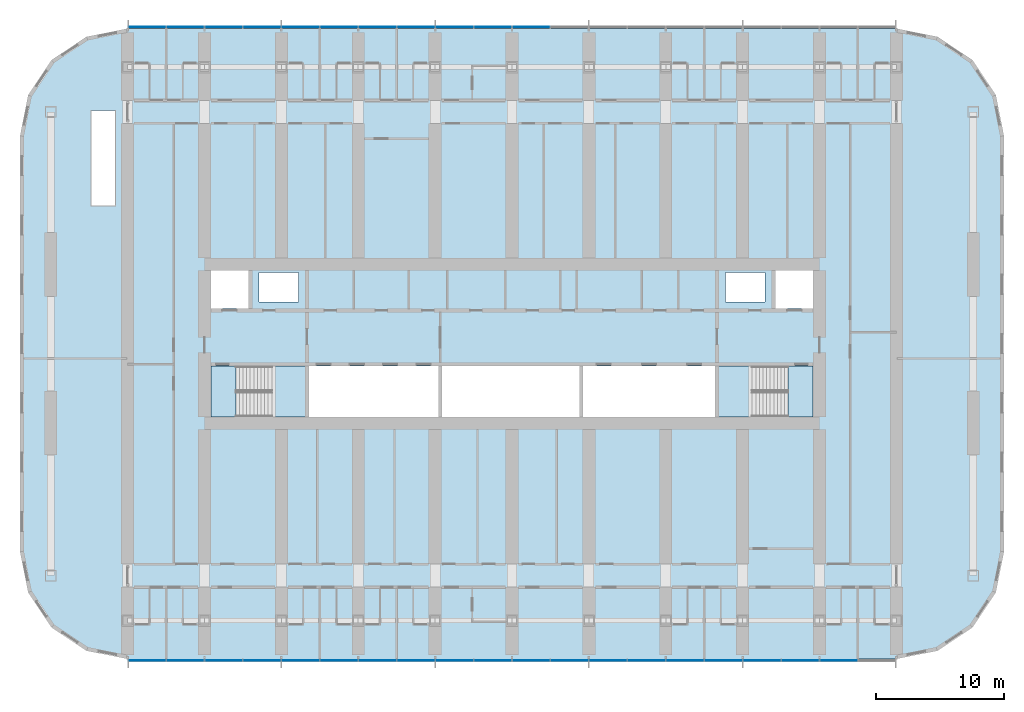
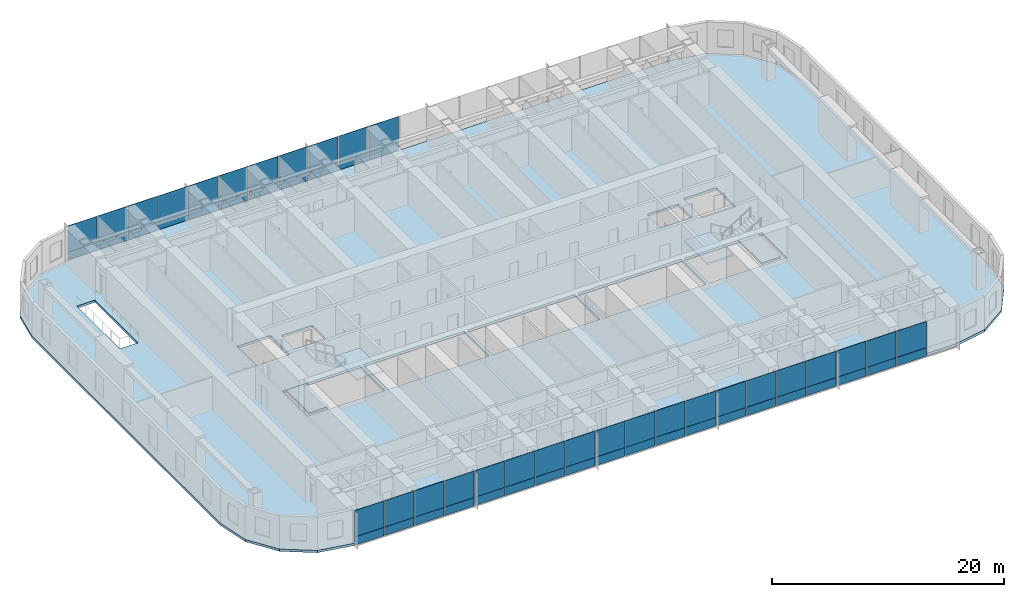
# One storey, part 8 of 23: 60 plates, 5 slabs, 4 elements without a shape of their own.
"""IFC4 building model written with IfcOpenShell, lengths in metres."""

from ifc_helpers import new_model, si_unit, direction, frame, origin, origin_2d, place, context, subcontext, project, spatial, polyline, rectangle, outline, extrude, material, layer, layer_set, type_object, element, aggregate, save


model = new_model("IFC4")

# Units and contexts
model_context = context("Model", 3, precision=1e-05, world=origin(), true_north=direction((0.0, 1.0)))
body_context = subcontext(model_context, "Body", "Model", "MODEL_VIEW")
ifc_project = project(units=[si_unit("LENGTHUNIT", "METRE"), si_unit("AREAUNIT", "SQUARE_METRE"), si_unit("VOLUMEUNIT", "CUBIC_METRE"), si_unit("PLANEANGLEUNIT", "RADIAN"), si_unit("MASSUNIT", "GRAM", prefix="KILO")], contexts=[model_context])

# Site, building, storey
site_placement = place(None, origin())
site = spatial("IfcSite", under=ifc_project, at=site_placement, CompositionType="ELEMENT")
building_placement = place(site_placement, origin())
building = spatial("IfcBuilding", under=site, at=building_placement, Name="Orbita Commons", CompositionType="ELEMENT")
storey_placement = place(building_placement, frame((0.0, 0.0, 42.699951171875)))
storey = spatial("IfcBuildingStorey", under=building, at=storey_placement, Name="L10", CompositionType="ELEMENT", Elevation=42.699951171875)

# Slab
ifc_material_1 = material(Name="Concrete C40/50", Category="concrete")
ifc_layer_1 = layer(ifc_material_1, 0.25)
ifc_layer_set_1 = layer_set([ifc_layer_1], Name="Concrete C40/50")
slab_type_1 = type_object("IfcSlabType", Name="Floor slab 250", PredefinedType="FLOOR", material=ifc_layer_set_1)
slab_1_placement = place(storey_placement, frame((0.0, 0.0, -0.25)))
element("IfcSlab", 1, at=slab_1_placement, inside=storey, type_object=slab_type_1, Name="Floor slab L10", PredefinedType="FLOOR", context=body_context, shape_type="SweptSolid", body=[
    extrude(outline(polyline([(72.0, 7.39990234375), (75.214599609375, 8.039306640625), (77.939697265625, 9.8603515625), (79.760498046875, 12.58544921875), (80.39990234375, 15.800048828125), (80.39990234375, 48.199951171875), (79.760498046875, 51.41455078125), (77.939697265625, 54.1396484375), (75.214599609375, 55.960693359375), (72.0, 56.60009765625), (12.0, 56.60009765625), (8.785400390625, 55.960693359375), (6.060302734375, 54.1396484375), (4.239501953125, 51.41455078125), (3.60009765625, 48.199951171875), (3.60009765625, 15.800048828125), (4.239501953125, 12.58544921875), (6.060302734375, 9.8603515625), (8.785400390625, 8.039306640625), (12.0, 7.39990234375), (72.0, 7.39990234375)]), holes=[polyline([(18.14990234375, 25.949951171875), (25.85009765625, 25.949951171875), (25.85009765625, 30.25), (18.14990234375, 30.25), (18.14990234375, 25.949951171875)]), polyline([(58.14990234375, 25.949951171875), (65.85009765625, 25.949951171875), (65.85009765625, 30.25), (58.14990234375, 30.25), (58.14990234375, 25.949951171875)]), polyline([(18.14990234375, 34.75), (21.449951171875, 34.75), (21.449951171875, 38.050048828125), (18.14990234375, 38.050048828125), (18.14990234375, 34.75)]), polyline([(62.550048828125, 34.75), (65.85009765625, 34.75), (65.85009765625, 38.050048828125), (62.550048828125, 38.050048828125), (62.550048828125, 34.75)]), polyline([(22.25, 35.25), (25.35009765625, 35.25), (25.35009765625, 37.550048828125), (22.25, 37.550048828125), (22.25, 35.25)]), polyline([(58.64990234375, 35.25), (61.75, 35.25), (61.75, 37.550048828125), (58.64990234375, 37.550048828125), (58.64990234375, 35.25)]), polyline([(26.14990234375, 25.949951171875), (36.25, 25.949951171875), (36.25, 30.25), (26.14990234375, 30.25), (26.14990234375, 25.949951171875)]), polyline([(36.550048828125, 25.949951171875), (47.25, 25.949951171875), (47.25, 30.25), (36.550048828125, 30.25), (36.550048828125, 25.949951171875)]), polyline([(47.550048828125, 25.949951171875), (57.85009765625, 25.949951171875), (57.85009765625, 30.25), (47.550048828125, 30.25), (47.550048828125, 25.949951171875)]), polyline([(9.199951171875, 42.800048828125), (11.0, 42.800048828125), (11.0, 50.199951171875), (9.199951171875, 50.199951171875), (9.199951171875, 42.800048828125)])]), origin(), (0.0, 0.0, 1.0), 0.25),
])

# Curtain wall, plates
ifc_material_2 = material(Name="Anodised aluminium frame, pale silver", Category="aluminium")
curtain_wall_type = type_object("IfcCurtainWallType", Name="Unitised curtain wall CW-T, vision and spandrel", PredefinedType="NOTDEFINED", material=ifc_material_2)
curtain_wall_1_placement = place(storey_placement, origin())
curtain_wall_1 = element("IfcCurtainWall", 2, at=curtain_wall_1_placement, inside=storey, type_object=curtain_wall_type, Name="Curtain wall south L10", PredefinedType="NOTDEFINED")
ifc_material_3 = material(Name="Anodised aluminium sheet on mineral wool", Category="aluminium")
ifc_layer_2 = layer(ifc_material_3, 0.050048828125)
ifc_layer_set_2 = layer_set([ifc_layer_2], Name="Anodised aluminium sheet on mineral wool")
plate_type_1 = type_object("IfcPlateType", Name="Spandrel panel, pale aluminium over insulation 50", PredefinedType="CURTAIN_PANEL", material=ifc_layer_set_2)
plate_1_placement = place(storey_placement, frame((13.52001953125, 7.2900390625, -0.14990234375), z_axis=(0.0, 0.0, 1.0), x_axis=(1.0, 0.0, 0.0)))
plate_1 = element("IfcPlate", 3, at=plate_1_placement, type_object=plate_type_1, Name="Panel 1.1 CW-L10-S", PredefinedType="CURTAIN_PANEL", context=body_context, shape_type="SweptSolid", body=[
    extrude(rectangle(XDim=2.8798828125, YDim=0.050048828125, at=origin_2d()), origin(), (0.0, 0.0, 1.0), 0.875),
])
plate_2_placement = place(storey_placement, frame((16.5, 7.2900390625, -0.14990234375), z_axis=(0.0, 0.0, 1.0), x_axis=(1.0, 0.0, 0.0)))
plate_2 = element("IfcPlate", 4, at=plate_2_placement, type_object=plate_type_1, Name="Panel 2.1 CW-L10-S", PredefinedType="CURTAIN_PANEL", context=body_context, shape_type="SweptSolid", body=[
    extrude(rectangle(XDim=2.919921875, YDim=0.050048828125, at=origin_2d()), origin(), (0.0, 0.0, 1.0), 0.875),
])
plate_3_placement = place(storey_placement, frame((19.5, 7.2900390625, -0.14990234375), z_axis=(0.0, 0.0, 1.0), x_axis=(1.0, 0.0, 0.0)))
plate_3 = element("IfcPlate", 5, at=plate_3_placement, type_object=plate_type_1, Name="Panel 3.1 CW-L10-S", PredefinedType="CURTAIN_PANEL", context=body_context, shape_type="SweptSolid", body=[
    extrude(rectangle(XDim=2.919921875, YDim=0.050048828125, at=origin_2d()), origin(), (0.0, 0.0, 1.0), 0.875),
])
plate_4_placement = place(storey_placement, frame((22.5, 7.2900390625, -0.14990234375), z_axis=(0.0, 0.0, 1.0), x_axis=(1.0, 0.0, 0.0)))
plate_4 = element("IfcPlate", 6, at=plate_4_placement, type_object=plate_type_1, Name="Panel 4.1 CW-L10-S", PredefinedType="CURTAIN_PANEL", context=body_context, shape_type="SweptSolid", body=[
    extrude(rectangle(XDim=2.919921875, YDim=0.050048828125, at=origin_2d()), origin(), (0.0, 0.0, 1.0), 0.875),
])
plate_5_placement = place(storey_placement, frame((25.5, 7.2900390625, -0.14990234375), z_axis=(0.0, 0.0, 1.0), x_axis=(1.0, 0.0, 0.0)))
plate_5 = element("IfcPlate", 7, at=plate_5_placement, type_object=plate_type_1, Name="Panel 5.1 CW-L10-S", PredefinedType="CURTAIN_PANEL", context=body_context, shape_type="SweptSolid", body=[
    extrude(rectangle(XDim=2.919921875, YDim=0.050048828125, at=origin_2d()), origin(), (0.0, 0.0, 1.0), 0.875),
])
plate_6_placement = place(storey_placement, frame((28.5, 7.2900390625, -0.14990234375), z_axis=(0.0, 0.0, 1.0), x_axis=(1.0, 0.0, 0.0)))
plate_6 = element("IfcPlate", 8, at=plate_6_placement, type_object=plate_type_1, Name="Panel 6.1 CW-L10-S", PredefinedType="CURTAIN_PANEL", context=body_context, shape_type="SweptSolid", body=[
    extrude(rectangle(XDim=2.919921875, YDim=0.050048828125, at=origin_2d()), origin(), (0.0, 0.0, 1.0), 0.875),
])
plate_7_placement = place(storey_placement, frame((31.5, 7.2900390625, -0.14990234375), z_axis=(0.0, 0.0, 1.0), x_axis=(1.0, 0.0, 0.0)))
plate_7 = element("IfcPlate", 9, at=plate_7_placement, type_object=plate_type_1, Name="Panel 7.1 CW-L10-S", PredefinedType="CURTAIN_PANEL", context=body_context, shape_type="SweptSolid", body=[
    extrude(rectangle(XDim=2.919921875, YDim=0.050048828125, at=origin_2d()), origin(), (0.0, 0.0, 1.0), 0.875),
])
plate_8_placement = place(storey_placement, frame((34.5, 7.2900390625, -0.14990234375), z_axis=(0.0, 0.0, 1.0), x_axis=(1.0, 0.0, 0.0)))
plate_8 = element("IfcPlate", 10, at=plate_8_placement, type_object=plate_type_1, Name="Panel 8.1 CW-L10-S", PredefinedType="CURTAIN_PANEL", context=body_context, shape_type="SweptSolid", body=[
    extrude(rectangle(XDim=2.919921875, YDim=0.050048828125, at=origin_2d()), origin(), (0.0, 0.0, 1.0), 0.875),
])
plate_9_placement = place(storey_placement, frame((37.5, 7.2900390625, -0.14990234375), z_axis=(0.0, 0.0, 1.0), x_axis=(1.0, 0.0, 0.0)))
plate_9 = element("IfcPlate", 11, at=plate_9_placement, type_object=plate_type_1, Name="Panel 9.1 CW-L10-S", PredefinedType="CURTAIN_PANEL", context=body_context, shape_type="SweptSolid", body=[
    extrude(rectangle(XDim=2.919921875, YDim=0.050048828125, at=origin_2d()), origin(), (0.0, 0.0, 1.0), 0.875),
])
plate_10_placement = place(storey_placement, frame((40.5, 7.2900390625, -0.14990234375), z_axis=(0.0, 0.0, 1.0), x_axis=(1.0, 0.0, 0.0)))
plate_10 = element("IfcPlate", 12, at=plate_10_placement, type_object=plate_type_1, Name="Panel 10.1 CW-L10-S", PredefinedType="CURTAIN_PANEL", context=body_context, shape_type="SweptSolid", body=[
    extrude(rectangle(XDim=2.919921875, YDim=0.050048828125, at=origin_2d()), origin(), (0.0, 0.0, 1.0), 0.875),
])
plate_11_placement = place(storey_placement, frame((43.5, 7.2900390625, -0.14990234375), z_axis=(0.0, 0.0, 1.0), x_axis=(1.0, 0.0, 0.0)))
plate_11 = element("IfcPlate", 13, at=plate_11_placement, type_object=plate_type_1, Name="Panel 11.1 CW-L10-S", PredefinedType="CURTAIN_PANEL", context=body_context, shape_type="SweptSolid", body=[
    extrude(rectangle(XDim=2.919921875, YDim=0.050048828125, at=origin_2d()), origin(), (0.0, 0.0, 1.0), 0.875),
])
plate_12_placement = place(storey_placement, frame((46.5, 7.2900390625, -0.14990234375), z_axis=(0.0, 0.0, 1.0), x_axis=(1.0, 0.0, 0.0)))
plate_12 = element("IfcPlate", 14, at=plate_12_placement, type_object=plate_type_1, Name="Panel 12.1 CW-L10-S", PredefinedType="CURTAIN_PANEL", context=body_context, shape_type="SweptSolid", body=[
    extrude(rectangle(XDim=2.919921875, YDim=0.050048828125, at=origin_2d()), origin(), (0.0, 0.0, 1.0), 0.875),
])
plate_13_placement = place(storey_placement, frame((49.5, 7.2900390625, -0.14990234375), z_axis=(0.0, 0.0, 1.0), x_axis=(1.0, 0.0, 0.0)))
plate_13 = element("IfcPlate", 15, at=plate_13_placement, type_object=plate_type_1, Name="Panel 13.1 CW-L10-S", PredefinedType="CURTAIN_PANEL", context=body_context, shape_type="SweptSolid", body=[
    extrude(rectangle(XDim=2.919921875, YDim=0.050048828125, at=origin_2d()), origin(), (0.0, 0.0, 1.0), 0.875),
])
plate_14_placement = place(storey_placement, frame((52.5, 7.2900390625, -0.14990234375), z_axis=(0.0, 0.0, 1.0), x_axis=(1.0, 0.0, 0.0)))
plate_14 = element("IfcPlate", 16, at=plate_14_placement, type_object=plate_type_1, Name="Panel 14.1 CW-L10-S", PredefinedType="CURTAIN_PANEL", context=body_context, shape_type="SweptSolid", body=[
    extrude(rectangle(XDim=2.919921875, YDim=0.050048828125, at=origin_2d()), origin(), (0.0, 0.0, 1.0), 0.875),
])
plate_15_placement = place(storey_placement, frame((55.5, 7.2900390625, -0.14990234375), z_axis=(0.0, 0.0, 1.0), x_axis=(1.0, 0.0, 0.0)))
plate_15 = element("IfcPlate", 17, at=plate_15_placement, type_object=plate_type_1, Name="Panel 15.1 CW-L10-S", PredefinedType="CURTAIN_PANEL", context=body_context, shape_type="SweptSolid", body=[
    extrude(rectangle(XDim=2.919921875, YDim=0.050048828125, at=origin_2d()), origin(), (0.0, 0.0, 1.0), 0.875),
])
plate_16_placement = place(storey_placement, frame((58.5, 7.2900390625, -0.14990234375), z_axis=(0.0, 0.0, 1.0), x_axis=(1.0, 0.0, 0.0)))
plate_16 = element("IfcPlate", 18, at=plate_16_placement, type_object=plate_type_1, Name="Panel 16.1 CW-L10-S", PredefinedType="CURTAIN_PANEL", context=body_context, shape_type="SweptSolid", body=[
    extrude(rectangle(XDim=2.919921875, YDim=0.050048828125, at=origin_2d()), origin(), (0.0, 0.0, 1.0), 0.875),
])
plate_17_placement = place(storey_placement, frame((61.5, 7.2900390625, -0.14990234375), z_axis=(0.0, 0.0, 1.0), x_axis=(1.0, 0.0, 0.0)))
plate_17 = element("IfcPlate", 19, at=plate_17_placement, type_object=plate_type_1, Name="Panel 17.1 CW-L10-S", PredefinedType="CURTAIN_PANEL", context=body_context, shape_type="SweptSolid", body=[
    extrude(rectangle(XDim=2.919921875, YDim=0.050048828125, at=origin_2d()), origin(), (0.0, 0.0, 1.0), 0.875),
])
plate_18_placement = place(storey_placement, frame((64.5, 7.2900390625, -0.14990234375), z_axis=(0.0, 0.0, 1.0), x_axis=(1.0, 0.0, 0.0)))
plate_18 = element("IfcPlate", 20, at=plate_18_placement, type_object=plate_type_1, Name="Panel 18.1 CW-L10-S", PredefinedType="CURTAIN_PANEL", context=body_context, shape_type="SweptSolid", body=[
    extrude(rectangle(XDim=2.919921875, YDim=0.050048828125, at=origin_2d()), origin(), (0.0, 0.0, 1.0), 0.875),
])
plate_19_placement = place(storey_placement, frame((67.5, 7.2900390625, -0.14990234375), z_axis=(0.0, 0.0, 1.0), x_axis=(1.0, 0.0, 0.0)))
plate_19 = element("IfcPlate", 21, at=plate_19_placement, type_object=plate_type_1, Name="Panel 19.1 CW-L10-S", PredefinedType="CURTAIN_PANEL", context=body_context, shape_type="SweptSolid", body=[
    extrude(rectangle(XDim=2.919921875, YDim=0.050048828125, at=origin_2d()), origin(), (0.0, 0.0, 1.0), 0.875),
])

curtain_wall_2_placement = place(storey_placement, origin())
curtain_wall_2 = element("IfcCurtainWall", 22, at=curtain_wall_2_placement, inside=storey, type_object=curtain_wall_type, Name="Curtain wall north L10", PredefinedType="NOTDEFINED")
plate_20_placement = place(storey_placement, frame((43.5, 56.7099609375, -0.14990234375), z_axis=(0.0, 0.0, 1.0), x_axis=(-1.0, 0.0, 0.0)))
plate_20 = element("IfcPlate", 23, at=plate_20_placement, type_object=plate_type_1, Name="Panel 10.1 CW-L10-N", PredefinedType="CURTAIN_PANEL", context=body_context, shape_type="SweptSolid", body=[
    extrude(rectangle(XDim=2.919921875, YDim=0.050048828125, at=origin_2d()), origin(), (0.0, 0.0, 1.0), 0.875),
])
plate_21_placement = place(storey_placement, frame((40.5, 56.7099609375, -0.14990234375), z_axis=(0.0, 0.0, 1.0), x_axis=(-1.0, 0.0, 0.0)))
plate_21 = element("IfcPlate", 24, at=plate_21_placement, type_object=plate_type_1, Name="Panel 11.1 CW-L10-N", PredefinedType="CURTAIN_PANEL", context=body_context, shape_type="SweptSolid", body=[
    extrude(rectangle(XDim=2.919921875, YDim=0.050048828125, at=origin_2d()), origin(), (0.0, 0.0, 1.0), 0.875),
])
plate_22_placement = place(storey_placement, frame((37.5, 56.7099609375, -0.14990234375), z_axis=(0.0, 0.0, 1.0), x_axis=(-1.0, 0.0, 0.0)))
plate_22 = element("IfcPlate", 25, at=plate_22_placement, type_object=plate_type_1, Name="Panel 12.1 CW-L10-N", PredefinedType="CURTAIN_PANEL", context=body_context, shape_type="SweptSolid", body=[
    extrude(rectangle(XDim=2.919921875, YDim=0.050048828125, at=origin_2d()), origin(), (0.0, 0.0, 1.0), 0.875),
])
plate_23_placement = place(storey_placement, frame((34.5, 56.7099609375, -0.14990234375), z_axis=(0.0, 0.0, 1.0), x_axis=(-1.0, 0.0, 0.0)))
plate_23 = element("IfcPlate", 26, at=plate_23_placement, type_object=plate_type_1, Name="Panel 13.1 CW-L10-N", PredefinedType="CURTAIN_PANEL", context=body_context, shape_type="SweptSolid", body=[
    extrude(rectangle(XDim=2.919921875, YDim=0.050048828125, at=origin_2d()), origin(), (0.0, 0.0, 1.0), 0.875),
])
plate_24_placement = place(storey_placement, frame((31.5, 56.7099609375, -0.14990234375), z_axis=(0.0, 0.0, 1.0), x_axis=(-1.0, 0.0, 0.0)))
plate_24 = element("IfcPlate", 27, at=plate_24_placement, type_object=plate_type_1, Name="Panel 14.1 CW-L10-N", PredefinedType="CURTAIN_PANEL", context=body_context, shape_type="SweptSolid", body=[
    extrude(rectangle(XDim=2.919921875, YDim=0.050048828125, at=origin_2d()), origin(), (0.0, 0.0, 1.0), 0.875),
])
plate_25_placement = place(storey_placement, frame((28.5, 56.7099609375, -0.14990234375), z_axis=(0.0, 0.0, 1.0), x_axis=(-1.0, 0.0, 0.0)))
plate_25 = element("IfcPlate", 28, at=plate_25_placement, type_object=plate_type_1, Name="Panel 15.1 CW-L10-N", PredefinedType="CURTAIN_PANEL", context=body_context, shape_type="SweptSolid", body=[
    extrude(rectangle(XDim=2.919921875, YDim=0.050048828125, at=origin_2d()), origin(), (0.0, 0.0, 1.0), 0.875),
])
plate_26_placement = place(storey_placement, frame((25.5, 56.7099609375, -0.14990234375), z_axis=(0.0, 0.0, 1.0), x_axis=(-1.0, 0.0, 0.0)))
plate_26 = element("IfcPlate", 29, at=plate_26_placement, type_object=plate_type_1, Name="Panel 16.1 CW-L10-N", PredefinedType="CURTAIN_PANEL", context=body_context, shape_type="SweptSolid", body=[
    extrude(rectangle(XDim=2.919921875, YDim=0.050048828125, at=origin_2d()), origin(), (0.0, 0.0, 1.0), 0.875),
])
plate_27_placement = place(storey_placement, frame((22.5, 56.7099609375, -0.14990234375), z_axis=(0.0, 0.0, 1.0), x_axis=(-1.0, 0.0, 0.0)))
plate_27 = element("IfcPlate", 30, at=plate_27_placement, type_object=plate_type_1, Name="Panel 17.1 CW-L10-N", PredefinedType="CURTAIN_PANEL", context=body_context, shape_type="SweptSolid", body=[
    extrude(rectangle(XDim=2.919921875, YDim=0.050048828125, at=origin_2d()), origin(), (0.0, 0.0, 1.0), 0.875),
])
plate_28_placement = place(storey_placement, frame((19.5, 56.7099609375, -0.14990234375), z_axis=(0.0, 0.0, 1.0), x_axis=(-1.0, 0.0, 0.0)))
plate_28 = element("IfcPlate", 31, at=plate_28_placement, type_object=plate_type_1, Name="Panel 18.1 CW-L10-N", PredefinedType="CURTAIN_PANEL", context=body_context, shape_type="SweptSolid", body=[
    extrude(rectangle(XDim=2.919921875, YDim=0.050048828125, at=origin_2d()), origin(), (0.0, 0.0, 1.0), 0.875),
])
plate_29_placement = place(storey_placement, frame((16.5, 56.7099609375, -0.14990234375), z_axis=(0.0, 0.0, 1.0), x_axis=(-1.0, 0.0, 0.0)))
plate_29 = element("IfcPlate", 32, at=plate_29_placement, type_object=plate_type_1, Name="Panel 19.1 CW-L10-N", PredefinedType="CURTAIN_PANEL", context=body_context, shape_type="SweptSolid", body=[
    extrude(rectangle(XDim=2.919921875, YDim=0.050048828125, at=origin_2d()), origin(), (0.0, 0.0, 1.0), 0.875),
])
plate_30_placement = place(storey_placement, frame((13.52001953125, 56.7099609375, -0.14990234375), z_axis=(0.0, 0.0, 1.0), x_axis=(-1.0, 0.0, 0.0)))
plate_30 = element("IfcPlate", 33, at=plate_30_placement, type_object=plate_type_1, Name="Panel 20.1 CW-L10-N", PredefinedType="CURTAIN_PANEL", context=body_context, shape_type="SweptSolid", body=[
    extrude(rectangle(XDim=2.8798828125, YDim=0.050048828125, at=origin_2d()), origin(), (0.0, 0.0, 1.0), 0.875),
])

# Stair, slabs
ifc_material_4 = material(Name="Precast concrete C40/50", Category="concrete")
stair_type_1 = type_object("IfcStairType", Name="Exit stair S1 2 flights 11 risers 170", PredefinedType="HALF_TURN_STAIR", material=ifc_material_4)
stair_1_placement = place(storey_placement, origin())
stair_1 = element("IfcStair", 34, at=stair_1_placement, inside=storey, type_object=stair_type_1, Name="Exit stair S1 L10", PredefinedType="HALF_TURN_STAIR")
ifc_material_5 = material(Name="Concrete C40/50", Category="concrete")
ifc_layer_3 = layer(ifc_material_5, 0.199951171875)
ifc_layer_set_3 = layer_set([ifc_layer_3], Name="Concrete C40/50")
slab_type_2 = type_object("IfcSlabType", Name="Stair landing 200", PredefinedType="LANDING", material=ifc_layer_set_3)
slab_2_placement = place(storey_placement, frame((0.0, 0.0, -0.199951171875)))
slab_2 = element("IfcSlab", 35, at=slab_2_placement, type_object=slab_type_2, Name="S1 landing 1", PredefinedType="LANDING", context=body_context, shape_type="SweptSolid", body=[
    extrude(outline(polyline([(18.5, 26.300048828125), (20.449951171875, 26.300048828125), (20.449951171875, 30.25), (18.5, 30.25), (18.5, 26.300048828125)])), origin(), (0.0, 0.0, 1.0), 0.199951171875),
])
slab_3_placement = place(storey_placement, frame((0.0, 0.0, 1.675048828125)))
slab_3 = element("IfcSlab", 36, at=slab_3_placement, type_object=slab_type_2, Name="S1 landing 2", PredefinedType="LANDING", context=body_context, shape_type="SweptSolid", body=[
    extrude(outline(polyline([(23.25, 26.284912109375), (25.864990234375, 26.284912109375), (25.864990234375, 30.264892578125), (23.25, 30.264892578125), (23.25, 26.284912109375)])), origin(), (0.0, 0.0, 1.0), 0.199951171875),
])
aggregate(stair_1, [slab_2, slab_3])

ifc_material_6 = material(Name="Precast concrete C40/50", Category="concrete")
stair_type_2 = type_object("IfcStairType", Name="Exit stair S2 2 flights 11 risers 170", PredefinedType="HALF_TURN_STAIR", material=ifc_material_6)
stair_2_placement = place(storey_placement, origin())
stair_2 = element("IfcStair", 37, at=stair_2_placement, inside=storey, type_object=stair_type_2, Name="Exit stair S2 L10", PredefinedType="HALF_TURN_STAIR")
slab_4_placement = place(storey_placement, frame((0.0, 0.0, -0.199951171875)))
slab_4 = element("IfcSlab", 38, at=slab_4_placement, type_object=slab_type_2, Name="S2 landing 1", PredefinedType="LANDING", context=body_context, shape_type="SweptSolid", body=[
    extrude(outline(polyline([(63.550048828125, 26.300048828125), (65.5, 26.300048828125), (65.5, 30.25), (63.550048828125, 30.25), (63.550048828125, 26.300048828125)])), origin(), (0.0, 0.0, 1.0), 0.199951171875),
])
slab_5_placement = place(storey_placement, frame((0.0, 0.0, 1.675048828125)))
slab_5 = element("IfcSlab", 39, at=slab_5_placement, type_object=slab_type_2, Name="S2 landing 2", PredefinedType="LANDING", context=body_context, shape_type="SweptSolid", body=[
    extrude(outline(polyline([(58.135009765625, 26.284912109375), (60.75, 26.284912109375), (60.75, 30.264892578125), (58.135009765625, 30.264892578125), (58.135009765625, 26.284912109375)])), origin(), (0.0, 0.0, 1.0), 0.199951171875),
])
aggregate(stair_2, [slab_4, slab_5])

# Plate
ifc_material_7 = material(Name="Clear double glazing", Category="glass")
ifc_layer_4 = layer(ifc_material_7, 0.031982421875)
ifc_layer_set_4 = layer_set([ifc_layer_4], Name="Clear double glazing")
plate_type_2 = type_object("IfcPlateType", Name="Vision panel, clear double glazing 32", PredefinedType="CURTAIN_PANEL", material=ifc_layer_set_4)
plate_31_placement = place(storey_placement, frame((13.52001953125, 7.2900390625, 0.72509765625), z_axis=(0.0, 0.0, 1.0), x_axis=(1.0, 0.0, 0.0)))
plate_31 = element("IfcPlate", 40, at=plate_31_placement, type_object=plate_type_2, Name="Panel 1.2 CW-L10-S", PredefinedType="CURTAIN_PANEL", context=body_context, shape_type="SweptSolid", body=[
    extrude(rectangle(XDim=2.8798828125, YDim=0.031982421875, at=origin_2d()), origin(), (0.0, 0.0, 1.0), 2.77490234375),
])

plate_32_placement = place(storey_placement, frame((16.5, 7.2900390625, 0.72509765625), z_axis=(0.0, 0.0, 1.0), x_axis=(1.0, 0.0, 0.0)))
plate_32 = element("IfcPlate", 41, at=plate_32_placement, type_object=plate_type_2, Name="Panel 2.2 CW-L10-S", PredefinedType="CURTAIN_PANEL", context=body_context, shape_type="SweptSolid", body=[
    extrude(rectangle(XDim=2.919921875, YDim=0.031982421875, at=origin_2d()), origin(), (0.0, 0.0, 1.0), 2.77490234375),
])

plate_33_placement = place(storey_placement, frame((19.5, 7.2900390625, 0.72509765625), z_axis=(0.0, 0.0, 1.0), x_axis=(1.0, 0.0, 0.0)))
plate_33 = element("IfcPlate", 42, at=plate_33_placement, type_object=plate_type_2, Name="Panel 3.2 CW-L10-S", PredefinedType="CURTAIN_PANEL", context=body_context, shape_type="SweptSolid", body=[
    extrude(rectangle(XDim=2.919921875, YDim=0.031982421875, at=origin_2d()), origin(), (0.0, 0.0, 1.0), 2.77490234375),
])

plate_34_placement = place(storey_placement, frame((22.5, 7.2900390625, 0.72509765625), z_axis=(0.0, 0.0, 1.0), x_axis=(1.0, 0.0, 0.0)))
plate_34 = element("IfcPlate", 43, at=plate_34_placement, type_object=plate_type_2, Name="Panel 4.2 CW-L10-S", PredefinedType="CURTAIN_PANEL", context=body_context, shape_type="SweptSolid", body=[
    extrude(rectangle(XDim=2.919921875, YDim=0.031982421875, at=origin_2d()), origin(), (0.0, 0.0, 1.0), 2.77490234375),
])

plate_35_placement = place(storey_placement, frame((25.5, 7.2900390625, 0.72509765625), z_axis=(0.0, 0.0, 1.0), x_axis=(1.0, 0.0, 0.0)))
plate_35 = element("IfcPlate", 44, at=plate_35_placement, type_object=plate_type_2, Name="Panel 5.2 CW-L10-S", PredefinedType="CURTAIN_PANEL", context=body_context, shape_type="SweptSolid", body=[
    extrude(rectangle(XDim=2.919921875, YDim=0.031982421875, at=origin_2d()), origin(), (0.0, 0.0, 1.0), 2.77490234375),
])

plate_36_placement = place(storey_placement, frame((28.5, 7.2900390625, 0.72509765625), z_axis=(0.0, 0.0, 1.0), x_axis=(1.0, 0.0, 0.0)))
plate_36 = element("IfcPlate", 45, at=plate_36_placement, type_object=plate_type_2, Name="Panel 6.2 CW-L10-S", PredefinedType="CURTAIN_PANEL", context=body_context, shape_type="SweptSolid", body=[
    extrude(rectangle(XDim=2.919921875, YDim=0.031982421875, at=origin_2d()), origin(), (0.0, 0.0, 1.0), 2.77490234375),
])

plate_37_placement = place(storey_placement, frame((31.5, 7.2900390625, 0.72509765625), z_axis=(0.0, 0.0, 1.0), x_axis=(1.0, 0.0, 0.0)))
plate_37 = element("IfcPlate", 46, at=plate_37_placement, type_object=plate_type_2, Name="Panel 7.2 CW-L10-S", PredefinedType="CURTAIN_PANEL", context=body_context, shape_type="SweptSolid", body=[
    extrude(rectangle(XDim=2.919921875, YDim=0.031982421875, at=origin_2d()), origin(), (0.0, 0.0, 1.0), 2.77490234375),
])

plate_38_placement = place(storey_placement, frame((34.5, 7.2900390625, 0.72509765625), z_axis=(0.0, 0.0, 1.0), x_axis=(1.0, 0.0, 0.0)))
plate_38 = element("IfcPlate", 47, at=plate_38_placement, type_object=plate_type_2, Name="Panel 8.2 CW-L10-S", PredefinedType="CURTAIN_PANEL", context=body_context, shape_type="SweptSolid", body=[
    extrude(rectangle(XDim=2.919921875, YDim=0.031982421875, at=origin_2d()), origin(), (0.0, 0.0, 1.0), 2.77490234375),
])

plate_39_placement = place(storey_placement, frame((37.5, 7.2900390625, 0.72509765625), z_axis=(0.0, 0.0, 1.0), x_axis=(1.0, 0.0, 0.0)))
plate_39 = element("IfcPlate", 48, at=plate_39_placement, type_object=plate_type_2, Name="Panel 9.2 CW-L10-S", PredefinedType="CURTAIN_PANEL", context=body_context, shape_type="SweptSolid", body=[
    extrude(rectangle(XDim=2.919921875, YDim=0.031982421875, at=origin_2d()), origin(), (0.0, 0.0, 1.0), 2.77490234375),
])

plate_40_placement = place(storey_placement, frame((40.5, 7.2900390625, 0.72509765625), z_axis=(0.0, 0.0, 1.0), x_axis=(1.0, 0.0, 0.0)))
plate_40 = element("IfcPlate", 49, at=plate_40_placement, type_object=plate_type_2, Name="Panel 10.2 CW-L10-S", PredefinedType="CURTAIN_PANEL", context=body_context, shape_type="SweptSolid", body=[
    extrude(rectangle(XDim=2.919921875, YDim=0.031982421875, at=origin_2d()), origin(), (0.0, 0.0, 1.0), 2.77490234375),
])

plate_41_placement = place(storey_placement, frame((43.5, 7.2900390625, 0.72509765625), z_axis=(0.0, 0.0, 1.0), x_axis=(1.0, 0.0, 0.0)))
plate_41 = element("IfcPlate", 50, at=plate_41_placement, type_object=plate_type_2, Name="Panel 11.2 CW-L10-S", PredefinedType="CURTAIN_PANEL", context=body_context, shape_type="SweptSolid", body=[
    extrude(rectangle(XDim=2.919921875, YDim=0.031982421875, at=origin_2d()), origin(), (0.0, 0.0, 1.0), 2.77490234375),
])

plate_42_placement = place(storey_placement, frame((46.5, 7.2900390625, 0.72509765625), z_axis=(0.0, 0.0, 1.0), x_axis=(1.0, 0.0, 0.0)))
plate_42 = element("IfcPlate", 51, at=plate_42_placement, type_object=plate_type_2, Name="Panel 12.2 CW-L10-S", PredefinedType="CURTAIN_PANEL", context=body_context, shape_type="SweptSolid", body=[
    extrude(rectangle(XDim=2.919921875, YDim=0.031982421875, at=origin_2d()), origin(), (0.0, 0.0, 1.0), 2.77490234375),
])

plate_43_placement = place(storey_placement, frame((49.5, 7.2900390625, 0.72509765625), z_axis=(0.0, 0.0, 1.0), x_axis=(1.0, 0.0, 0.0)))
plate_43 = element("IfcPlate", 52, at=plate_43_placement, type_object=plate_type_2, Name="Panel 13.2 CW-L10-S", PredefinedType="CURTAIN_PANEL", context=body_context, shape_type="SweptSolid", body=[
    extrude(rectangle(XDim=2.919921875, YDim=0.031982421875, at=origin_2d()), origin(), (0.0, 0.0, 1.0), 2.77490234375),
])

plate_44_placement = place(storey_placement, frame((52.5, 7.2900390625, 0.72509765625), z_axis=(0.0, 0.0, 1.0), x_axis=(1.0, 0.0, 0.0)))
plate_44 = element("IfcPlate", 53, at=plate_44_placement, type_object=plate_type_2, Name="Panel 14.2 CW-L10-S", PredefinedType="CURTAIN_PANEL", context=body_context, shape_type="SweptSolid", body=[
    extrude(rectangle(XDim=2.919921875, YDim=0.031982421875, at=origin_2d()), origin(), (0.0, 0.0, 1.0), 2.77490234375),
])

plate_45_placement = place(storey_placement, frame((55.5, 7.2900390625, 0.72509765625), z_axis=(0.0, 0.0, 1.0), x_axis=(1.0, 0.0, 0.0)))
plate_45 = element("IfcPlate", 54, at=plate_45_placement, type_object=plate_type_2, Name="Panel 15.2 CW-L10-S", PredefinedType="CURTAIN_PANEL", context=body_context, shape_type="SweptSolid", body=[
    extrude(rectangle(XDim=2.919921875, YDim=0.031982421875, at=origin_2d()), origin(), (0.0, 0.0, 1.0), 2.77490234375),
])

plate_46_placement = place(storey_placement, frame((58.5, 7.2900390625, 0.72509765625), z_axis=(0.0, 0.0, 1.0), x_axis=(1.0, 0.0, 0.0)))
plate_46 = element("IfcPlate", 55, at=plate_46_placement, type_object=plate_type_2, Name="Panel 16.2 CW-L10-S", PredefinedType="CURTAIN_PANEL", context=body_context, shape_type="SweptSolid", body=[
    extrude(rectangle(XDim=2.919921875, YDim=0.031982421875, at=origin_2d()), origin(), (0.0, 0.0, 1.0), 2.77490234375),
])

plate_47_placement = place(storey_placement, frame((61.5, 7.2900390625, 0.72509765625), z_axis=(0.0, 0.0, 1.0), x_axis=(1.0, 0.0, 0.0)))
plate_47 = element("IfcPlate", 56, at=plate_47_placement, type_object=plate_type_2, Name="Panel 17.2 CW-L10-S", PredefinedType="CURTAIN_PANEL", context=body_context, shape_type="SweptSolid", body=[
    extrude(rectangle(XDim=2.919921875, YDim=0.031982421875, at=origin_2d()), origin(), (0.0, 0.0, 1.0), 2.77490234375),
])

plate_48_placement = place(storey_placement, frame((64.5, 7.2900390625, 0.72509765625), z_axis=(0.0, 0.0, 1.0), x_axis=(1.0, 0.0, 0.0)))
plate_48 = element("IfcPlate", 57, at=plate_48_placement, type_object=plate_type_2, Name="Panel 18.2 CW-L10-S", PredefinedType="CURTAIN_PANEL", context=body_context, shape_type="SweptSolid", body=[
    extrude(rectangle(XDim=2.919921875, YDim=0.031982421875, at=origin_2d()), origin(), (0.0, 0.0, 1.0), 2.77490234375),
])

plate_49_placement = place(storey_placement, frame((67.5, 7.2900390625, 0.72509765625), z_axis=(0.0, 0.0, 1.0), x_axis=(1.0, 0.0, 0.0)))
plate_49 = element("IfcPlate", 58, at=plate_49_placement, type_object=plate_type_2, Name="Panel 19.2 CW-L10-S", PredefinedType="CURTAIN_PANEL", context=body_context, shape_type="SweptSolid", body=[
    extrude(rectangle(XDim=2.919921875, YDim=0.031982421875, at=origin_2d()), origin(), (0.0, 0.0, 1.0), 2.77490234375),
])

aggregate(curtain_wall_1, [plate_1, plate_31, plate_2, plate_32, plate_3, plate_33, plate_4, plate_34, plate_5, plate_35, plate_6, plate_36, plate_7, plate_37, plate_8, plate_38, plate_9, plate_39, plate_10, plate_40, plate_11, plate_41, plate_12, plate_42, plate_13, plate_43, plate_14, plate_44, plate_15, plate_45, plate_16, plate_46, plate_17, plate_47, plate_18, plate_48, plate_19, plate_49])

plate_50_placement = place(storey_placement, frame((43.5, 56.7099609375, 0.72509765625), z_axis=(0.0, 0.0, 1.0), x_axis=(-1.0, 0.0, 0.0)))
plate_50 = element("IfcPlate", 59, at=plate_50_placement, type_object=plate_type_2, Name="Panel 10.2 CW-L10-N", PredefinedType="CURTAIN_PANEL", context=body_context, shape_type="SweptSolid", body=[
    extrude(rectangle(XDim=2.919921875, YDim=0.031982421875, at=origin_2d()), origin(), (0.0, 0.0, 1.0), 2.77490234375),
])

plate_51_placement = place(storey_placement, frame((40.5, 56.7099609375, 0.72509765625), z_axis=(0.0, 0.0, 1.0), x_axis=(-1.0, 0.0, 0.0)))
plate_51 = element("IfcPlate", 60, at=plate_51_placement, type_object=plate_type_2, Name="Panel 11.2 CW-L10-N", PredefinedType="CURTAIN_PANEL", context=body_context, shape_type="SweptSolid", body=[
    extrude(rectangle(XDim=2.919921875, YDim=0.031982421875, at=origin_2d()), origin(), (0.0, 0.0, 1.0), 2.77490234375),
])

plate_52_placement = place(storey_placement, frame((37.5, 56.7099609375, 0.72509765625), z_axis=(0.0, 0.0, 1.0), x_axis=(-1.0, 0.0, 0.0)))
plate_52 = element("IfcPlate", 61, at=plate_52_placement, type_object=plate_type_2, Name="Panel 12.2 CW-L10-N", PredefinedType="CURTAIN_PANEL", context=body_context, shape_type="SweptSolid", body=[
    extrude(rectangle(XDim=2.919921875, YDim=0.031982421875, at=origin_2d()), origin(), (0.0, 0.0, 1.0), 2.77490234375),
])

plate_53_placement = place(storey_placement, frame((34.5, 56.7099609375, 0.72509765625), z_axis=(0.0, 0.0, 1.0), x_axis=(-1.0, 0.0, 0.0)))
plate_53 = element("IfcPlate", 62, at=plate_53_placement, type_object=plate_type_2, Name="Panel 13.2 CW-L10-N", PredefinedType="CURTAIN_PANEL", context=body_context, shape_type="SweptSolid", body=[
    extrude(rectangle(XDim=2.919921875, YDim=0.031982421875, at=origin_2d()), origin(), (0.0, 0.0, 1.0), 2.77490234375),
])

plate_54_placement = place(storey_placement, frame((31.5, 56.7099609375, 0.72509765625), z_axis=(0.0, 0.0, 1.0), x_axis=(-1.0, 0.0, 0.0)))
plate_54 = element("IfcPlate", 63, at=plate_54_placement, type_object=plate_type_2, Name="Panel 14.2 CW-L10-N", PredefinedType="CURTAIN_PANEL", context=body_context, shape_type="SweptSolid", body=[
    extrude(rectangle(XDim=2.919921875, YDim=0.031982421875, at=origin_2d()), origin(), (0.0, 0.0, 1.0), 2.77490234375),
])

plate_55_placement = place(storey_placement, frame((28.5, 56.7099609375, 0.72509765625), z_axis=(0.0, 0.0, 1.0), x_axis=(-1.0, 0.0, 0.0)))
plate_55 = element("IfcPlate", 64, at=plate_55_placement, type_object=plate_type_2, Name="Panel 15.2 CW-L10-N", PredefinedType="CURTAIN_PANEL", context=body_context, shape_type="SweptSolid", body=[
    extrude(rectangle(XDim=2.919921875, YDim=0.031982421875, at=origin_2d()), origin(), (0.0, 0.0, 1.0), 2.77490234375),
])

plate_56_placement = place(storey_placement, frame((25.5, 56.7099609375, 0.72509765625), z_axis=(0.0, 0.0, 1.0), x_axis=(-1.0, 0.0, 0.0)))
plate_56 = element("IfcPlate", 65, at=plate_56_placement, type_object=plate_type_2, Name="Panel 16.2 CW-L10-N", PredefinedType="CURTAIN_PANEL", context=body_context, shape_type="SweptSolid", body=[
    extrude(rectangle(XDim=2.919921875, YDim=0.031982421875, at=origin_2d()), origin(), (0.0, 0.0, 1.0), 2.77490234375),
])

plate_57_placement = place(storey_placement, frame((22.5, 56.7099609375, 0.72509765625), z_axis=(0.0, 0.0, 1.0), x_axis=(-1.0, 0.0, 0.0)))
plate_57 = element("IfcPlate", 66, at=plate_57_placement, type_object=plate_type_2, Name="Panel 17.2 CW-L10-N", PredefinedType="CURTAIN_PANEL", context=body_context, shape_type="SweptSolid", body=[
    extrude(rectangle(XDim=2.919921875, YDim=0.031982421875, at=origin_2d()), origin(), (0.0, 0.0, 1.0), 2.77490234375),
])

plate_58_placement = place(storey_placement, frame((19.5, 56.7099609375, 0.72509765625), z_axis=(0.0, 0.0, 1.0), x_axis=(-1.0, 0.0, 0.0)))
plate_58 = element("IfcPlate", 67, at=plate_58_placement, type_object=plate_type_2, Name="Panel 18.2 CW-L10-N", PredefinedType="CURTAIN_PANEL", context=body_context, shape_type="SweptSolid", body=[
    extrude(rectangle(XDim=2.919921875, YDim=0.031982421875, at=origin_2d()), origin(), (0.0, 0.0, 1.0), 2.77490234375),
])

plate_59_placement = place(storey_placement, frame((16.5, 56.7099609375, 0.72509765625), z_axis=(0.0, 0.0, 1.0), x_axis=(-1.0, 0.0, 0.0)))
plate_59 = element("IfcPlate", 68, at=plate_59_placement, type_object=plate_type_2, Name="Panel 19.2 CW-L10-N", PredefinedType="CURTAIN_PANEL", context=body_context, shape_type="SweptSolid", body=[
    extrude(rectangle(XDim=2.919921875, YDim=0.031982421875, at=origin_2d()), origin(), (0.0, 0.0, 1.0), 2.77490234375),
])

plate_60_placement = place(storey_placement, frame((13.52001953125, 56.7099609375, 0.72509765625), z_axis=(0.0, 0.0, 1.0), x_axis=(-1.0, 0.0, 0.0)))
plate_60 = element("IfcPlate", 69, at=plate_60_placement, type_object=plate_type_2, Name="Panel 20.2 CW-L10-N", PredefinedType="CURTAIN_PANEL", context=body_context, shape_type="SweptSolid", body=[
    extrude(rectangle(XDim=2.8798828125, YDim=0.031982421875, at=origin_2d()), origin(), (0.0, 0.0, 1.0), 2.77490234375),
])

aggregate(curtain_wall_2, [plate_20, plate_50, plate_21, plate_51, plate_22, plate_52, plate_23, plate_53, plate_24, plate_54, plate_25, plate_55, plate_26, plate_56, plate_27, plate_57, plate_28, plate_58, plate_29, plate_59, plate_30, plate_60])

save(model, "model.ifc")
